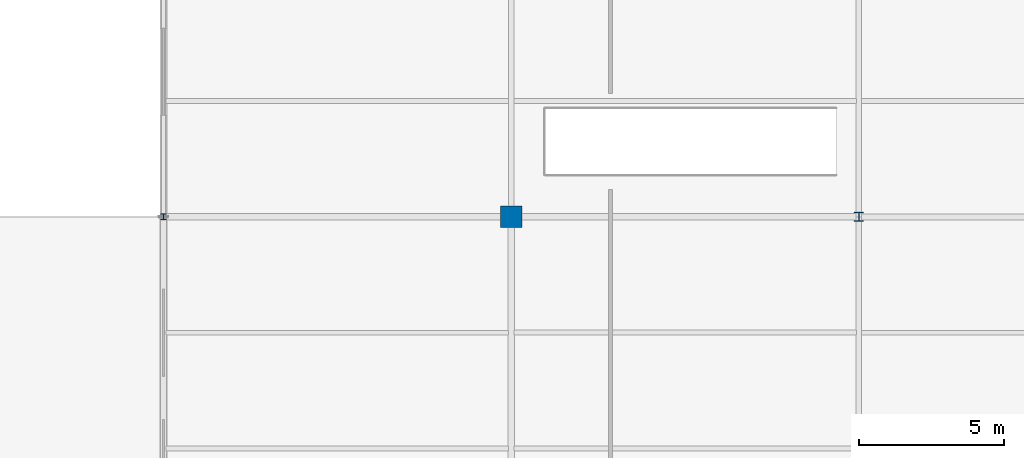
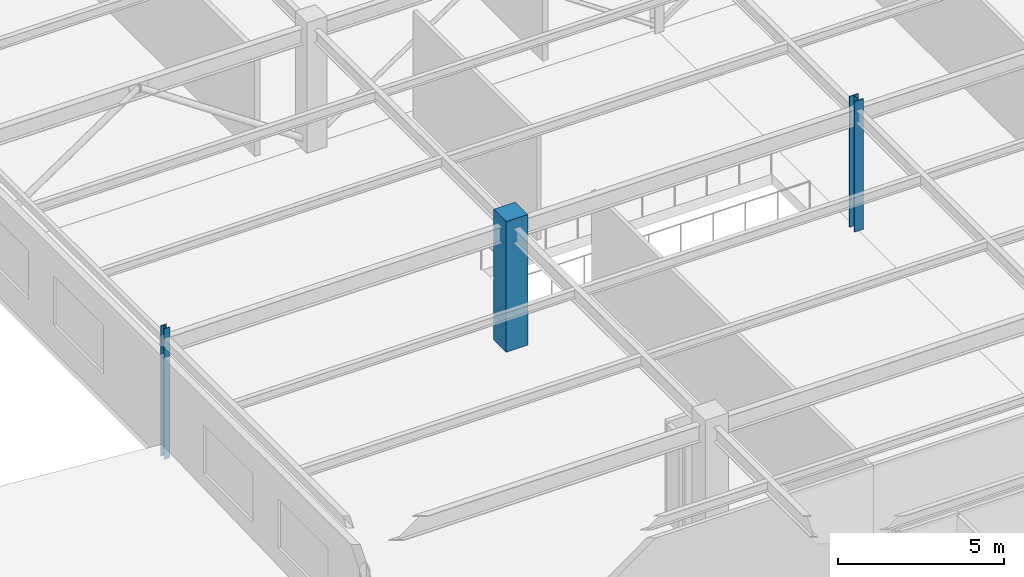
# One storey, part 5 of 199: 3 columns.
"""IFC4 building model written with IfcOpenShell, lengths in metres."""

from ifc_helpers import new_model, si_unit, direction, frame, origin, origin_2d, place, context, subcontext, project, spatial, rectangle, i_section, extrude, material, material_profile, profile_set, type_object, element, save


model = new_model("IFC4")

# Units and contexts
model_context = context("Model", 3, precision=1e-05, world=origin(), true_north=direction((0.0, 1.0)))
body_context = subcontext(model_context, "Body", "Model", "MODEL_VIEW")
ifc_project = project(units=[si_unit("LENGTHUNIT", "METRE"), si_unit("AREAUNIT", "SQUARE_METRE"), si_unit("VOLUMEUNIT", "CUBIC_METRE"), si_unit("PLANEANGLEUNIT", "RADIAN"), si_unit("MASSUNIT", "GRAM", prefix="KILO")], contexts=[model_context])

# Site, building, storey
site_placement = place(None, origin())
site = spatial("IfcSite", under=ifc_project, at=site_placement, CompositionType="ELEMENT")
building_placement = place(site_placement, origin())
building = spatial("IfcBuilding", under=site, at=building_placement, Name="Tarnwether General Hospital", CompositionType="ELEMENT")
storey_placement = place(building_placement, origin())
storey = spatial("IfcBuildingStorey", under=building, at=storey_placement, Name="L00", CompositionType="ELEMENT", Elevation=0.0)

# Columns
ifc_material_1 = material(Name="Steel Grade 350 (350 MPa)", Category="steel")
ifc_material_profile_1 = material_profile(ifc_material_1, i_section(OverallWidth=0.30908203125, OverallDepth=0.321044921875, WebThickness=0.013916015625, FlangeThickness=0.021728515625, at=origin_2d()), Name="310UC137")
ifc_profile_set_1 = profile_set([ifc_material_profile_1], Name="Steel Grade 350 (350 MPa)")
column_type_1 = type_object("IfcColumnType", Name="COL-06", PredefinedType="COLUMN", material=ifc_profile_set_1)
column_1_placement = place(storey_placement, frame((24.0, 33.60009765625, 0.0), z_axis=(0.0, 0.0, 1.0), x_axis=(1.0, 0.0, 0.0)))
element("IfcColumn", 1, at=column_1_placement, inside=storey, type_object=column_type_1, Name="Column COLG-L00-2400_3360", PredefinedType="COLUMN", context=body_context, shape_type="SweptSolid", body=[
    extrude(i_section(OverallWidth=0.30908203125, OverallDepth=0.321044921875, WebThickness=0.013916015625, FlangeThickness=0.021728515625, at=origin_2d()), origin(), (0.0, 0.0, 1.0), 4.800048828125),
])
ifc_material_2 = material(Name="Concrete 50 MPa", Category="concrete")
ifc_material_profile_2 = material_profile(ifc_material_2, rectangle(XDim=0.75, YDim=0.75, at=origin_2d()), Name="RC-COL-750x750")
ifc_profile_set_2 = profile_set([ifc_material_profile_2], Name="Concrete 50 MPa")
column_type_2 = type_object("IfcColumnType", Name="COL-17", PredefinedType="COLUMN", material=ifc_profile_set_2)
column_2_placement = place(storey_placement, frame((12.0, 33.60009765625, 0.0), z_axis=(0.0, 0.0, 1.0), x_axis=(0.0, 1.0, 0.0)))
element("IfcColumn", 2, at=column_2_placement, inside=storey, type_object=column_type_2, Name="Column COLG-L00-1200_3360", PredefinedType="COLUMN", context=body_context, shape_type="SweptSolid", body=[
    extrude(rectangle(XDim=0.75, YDim=0.75, at=origin_2d()), origin(), (0.0, 0.0, 1.0), 4.800048828125),
])
ifc_material_3 = material(Name="Steel Grade 350 (350 MPa)", Category="steel")
ifc_material_profile_3 = material_profile(ifc_material_3, i_section(OverallWidth=0.202880859375, OverallDepth=0.202880859375, WebThickness=0.00732421875, FlangeThickness=0.010986328125, at=origin_2d()), Name="200UC46.2")
ifc_profile_set_3 = profile_set([ifc_material_profile_3], Name="Steel Grade 350 (350 MPa)")
column_type_3 = type_object("IfcColumnType", Name="COL-27", PredefinedType="COLUMN", material=ifc_profile_set_3)
column_3_placement = place(storey_placement, frame((0.0, 33.60009765625, 0.0), z_axis=(0.0, 0.0, 1.0), x_axis=(1.0, 0.0, 0.0)))
element("IfcColumn", 3, at=column_3_placement, inside=storey, type_object=column_type_3, Name="Column COLG-L00-0_3360", PredefinedType="COLUMN", context=body_context, shape_type="SweptSolid", body=[
    extrude(i_section(OverallWidth=0.202880859375, OverallDepth=0.202880859375, WebThickness=0.00732421875, FlangeThickness=0.010986328125, at=origin_2d()), origin(), (0.0, 0.0, 1.0), 4.800048828125),
])

save(model, "model.ifc")
